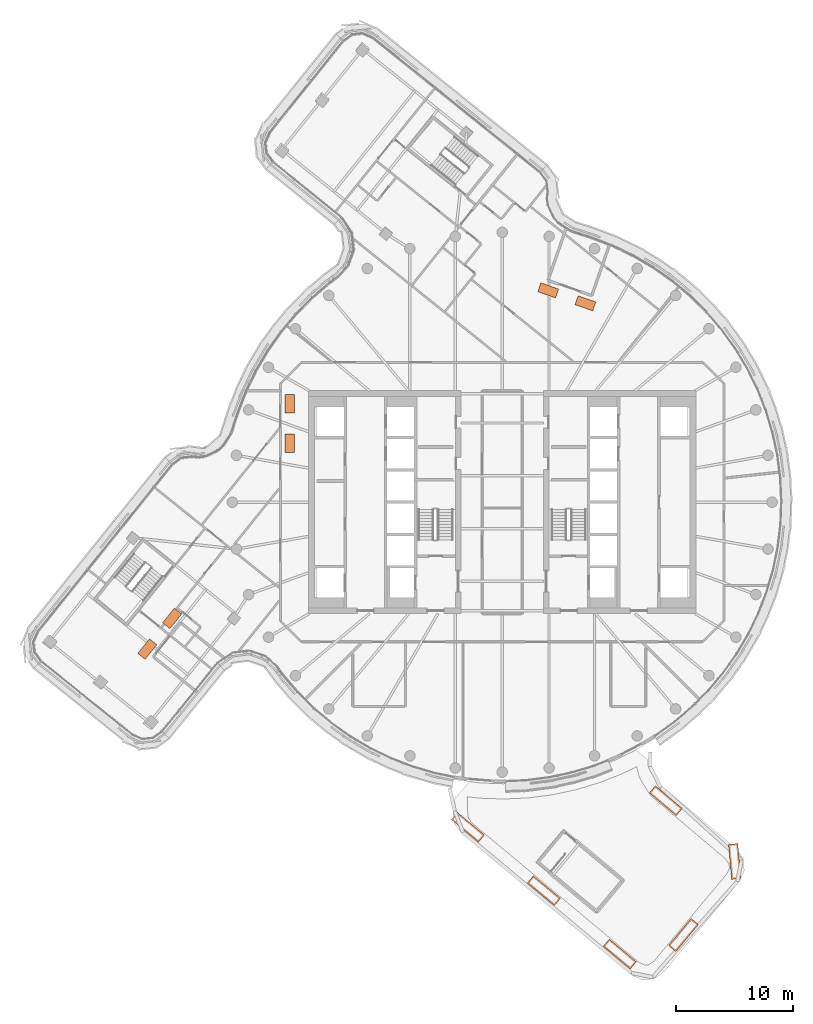
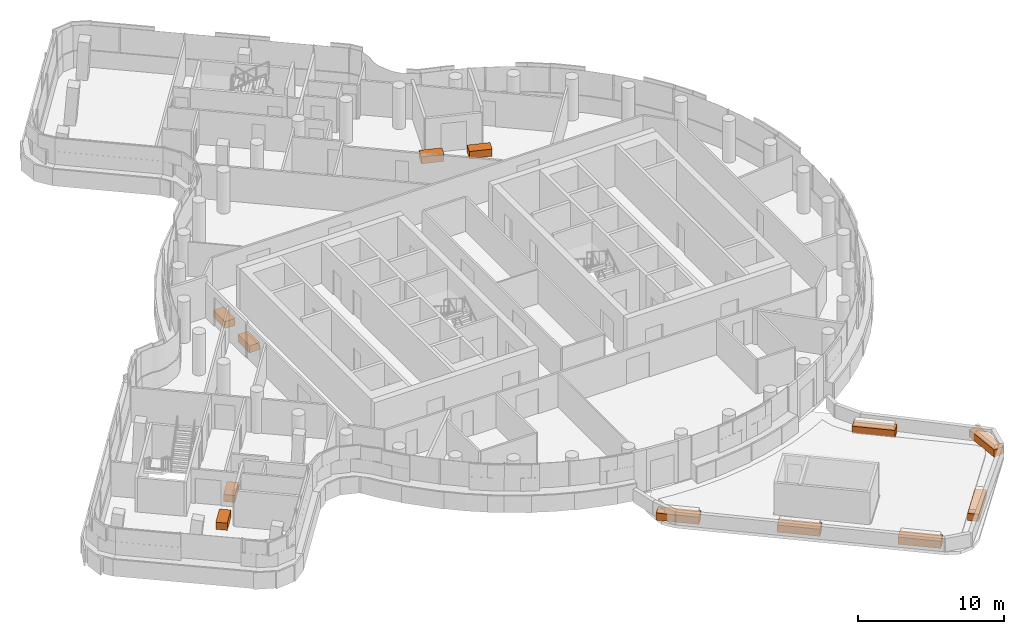
# One storey, part 25 of 25: 12 proxies.
"""IFC4 building model written with IfcOpenShell, lengths in metres."""

from ifc_helpers import new_model, si_unit, direction, frame, origin, origin_2d, place, context, subcontext, project, spatial, rectangle, extrude, material, type_object, element, save


model = new_model("IFC4")

# Units and contexts
model_context = context("Model", 3, precision=1e-05, world=origin(), true_north=direction((0.0, 1.0)))
body_context = subcontext(model_context, "Body", "Model", "MODEL_VIEW")
ifc_project = project(units=[si_unit("LENGTHUNIT", "METRE"), si_unit("AREAUNIT", "SQUARE_METRE"), si_unit("VOLUMEUNIT", "CUBIC_METRE"), si_unit("PLANEANGLEUNIT", "RADIAN"), si_unit("MASSUNIT", "GRAM", prefix="KILO")], contexts=[model_context])

# Site, building, storey
site_placement = place(None, origin())
site = spatial("IfcSite", under=ifc_project, at=site_placement, CompositionType="ELEMENT")
building_placement = place(site_placement, origin())
building = spatial("IfcBuilding", under=site, at=building_placement, Name="Tamarind Cross Interchange Tower", CompositionType="ELEMENT")
storey_placement = place(building_placement, frame((0.0, 0.0, 219.89990234375)))
storey = spatial("IfcBuildingStorey", under=building, at=storey_placement, Name="L55", CompositionType="ELEMENT", Elevation=219.89990234375)

# Proxies
ifc_material = material(Name="Concrete C30", Category="concrete")
building_element_proxy_type = type_object("IfcBuildingElementProxyType", Name="Planter", PredefinedType="USERDEFINED", material=ifc_material)
proxy_1_placement = place(storey_placement, origin())
element("IfcBuildingElementProxy", 1, at=proxy_1_placement, inside=storey, type_object=building_element_proxy_type, Name="PLT-L55-WG-L55-NW-0", ObjectType="Planter", PredefinedType="USERDEFINED", context=body_context, shape_type="SweptSolid", body=[
    extrude(rectangle(XDim=1.60009765625, YDim=0.800048828125, at=origin_2d()), frame((-18.10009765625, 8.390380859375, 0.0), z_axis=(0.0, 0.0, 1.0), x_axis=(0.0, -1.0, 0.0)), (0.0, 0.0, 1.0), 0.60009765625),
])
proxy_2_placement = place(storey_placement, origin())
element("IfcBuildingElementProxy", 2, at=proxy_2_placement, inside=storey, type_object=building_element_proxy_type, Name="PLT-L55-WG-L55-NW-1", ObjectType="Planter", PredefinedType="USERDEFINED", context=body_context, shape_type="SweptSolid", body=[
    extrude(rectangle(XDim=1.60009765625, YDim=0.800048828125, at=origin_2d()), frame((-18.10009765625, 5.030517578125, 0.0), z_axis=(0.0, 0.0, 1.0), x_axis=(0.0, -1.0, 0.0)), (0.0, 0.0, 1.0), 0.60009765625),
])
proxy_3_placement = place(storey_placement, origin())
element("IfcBuildingElementProxy", 3, at=proxy_3_placement, inside=storey, type_object=building_element_proxy_type, Name="PLT-L55-WG-L55-WNa-0", ObjectType="Planter", PredefinedType="USERDEFINED", context=body_context, shape_type="SweptSolid", body=[
    extrude(rectangle(XDim=1.60009765625, YDim=0.800048828125, at=origin_2d()), frame((-30.245361328125, -12.513427734375, 0.0), z_axis=(0.0, 0.0, 1.0), x_axis=(0.629401770134, 0.777080054919, 0.0)), (0.0, 0.0, 1.0), 0.60009765625),
])
proxy_4_placement = place(storey_placement, origin())
element("IfcBuildingElementProxy", 4, at=proxy_4_placement, inside=storey, type_object=building_element_proxy_type, Name="PLT-L55-WG-L55-WNa-1", ObjectType="Planter", PredefinedType="USERDEFINED", context=body_context, shape_type="SweptSolid", body=[
    extrude(rectangle(XDim=1.60009765625, YDim=0.800048828125, at=origin_2d()), frame((-28.13037109375, -9.902587890625, 0.0), z_axis=(0.0, 0.0, 1.0), x_axis=(0.629401770134, 0.777080054919, 0.0)), (0.0, 0.0, 1.0), 0.60009765625),
])
proxy_5_placement = place(storey_placement, origin())
element("IfcBuildingElementProxy", 5, at=proxy_5_placement, inside=storey, type_object=building_element_proxy_type, Name="PLT-L55-WG-L55-WNb-0", ObjectType="Planter", PredefinedType="USERDEFINED", context=body_context, shape_type="SweptSolid", body=[
    extrude(rectangle(XDim=1.60009765625, YDim=0.800048828125, at=origin_2d()), frame((7.09228515625, 16.94970703125, 0.0), z_axis=(0.0, 0.0, 1.0), x_axis=(-0.944473905366, 0.328586430157, 0.0)), (0.0, 0.0, 1.0), 0.60009765625),
])
proxy_6_placement = place(storey_placement, origin())
element("IfcBuildingElementProxy", 6, at=proxy_6_placement, inside=storey, type_object=building_element_proxy_type, Name="PLT-L55-WG-L55-WNb-1", ObjectType="Planter", PredefinedType="USERDEFINED", context=body_context, shape_type="SweptSolid", body=[
    extrude(rectangle(XDim=1.60009765625, YDim=0.800048828125, at=origin_2d()), frame((3.9189453125, 18.0537109375, 0.0), z_axis=(0.0, 0.0, 1.0), x_axis=(-0.944473905366, 0.328586430157, 0.0)), (0.0, 0.0, 1.0), 0.60009765625),
])
proxy_7_placement = place(storey_placement, origin())
element("IfcBuildingElementProxy", 7, at=proxy_7_placement, inside=storey, type_object=building_element_proxy_type, Name="PLT-L55-RTS0-00", ObjectType="Planter", PredefinedType="USERDEFINED", context=body_context, shape_type="SweptSolid", body=[
    extrude(rectangle(XDim=3.0, YDim=0.800048828125, at=origin_2d()), frame((-2.919921875, -27.703857421875, 0.0), z_axis=(0.0, 0.0, 1.0), x_axis=(0.767729103501, -0.640774549773, 0.0)), (0.0, 0.0, 1.0), 0.60009765625),
])
proxy_8_placement = place(storey_placement, origin())
element("IfcBuildingElementProxy", 8, at=proxy_8_placement, inside=storey, type_object=building_element_proxy_type, Name="PLT-L55-RTS0-01", ObjectType="Planter", PredefinedType="USERDEFINED", context=body_context, shape_type="SweptSolid", body=[
    extrude(rectangle(XDim=3.0, YDim=0.800048828125, at=origin_2d()), frame((3.551513671875, -33.10498046875, 0.0), z_axis=(0.0, 0.0, 1.0), x_axis=(0.767729103501, -0.640774549773, 0.0)), (0.0, 0.0, 1.0), 0.60009765625),
])
proxy_9_placement = place(storey_placement, origin())
element("IfcBuildingElementProxy", 9, at=proxy_9_placement, inside=storey, type_object=building_element_proxy_type, Name="PLT-L55-RTS0-02", ObjectType="Planter", PredefinedType="USERDEFINED", context=body_context, shape_type="SweptSolid", body=[
    extrude(rectangle(XDim=3.0, YDim=0.800048828125, at=origin_2d()), frame((10.022705078125, -38.50634765625, 0.0), z_axis=(0.0, 0.0, 1.0), x_axis=(0.767729103501, -0.640774549773, 0.0)), (0.0, 0.0, 1.0), 0.60009765625),
])
proxy_10_placement = place(storey_placement, origin())
element("IfcBuildingElementProxy", 10, at=proxy_10_placement, inside=storey, type_object=building_element_proxy_type, Name="PLT-L55-RTS0-03", ObjectType="Planter", PredefinedType="USERDEFINED", context=body_context, shape_type="SweptSolid", body=[
    extrude(rectangle(XDim=3.0, YDim=0.800048828125, at=origin_2d()), frame((15.443115234375, -36.886474609375, 0.0), z_axis=(0.0, 0.0, 1.0), x_axis=(0.640774549773, 0.767729103501, 0.0)), (0.0, 0.0, 1.0), 0.60009765625),
])
proxy_11_placement = place(storey_placement, origin())
element("IfcBuildingElementProxy", 11, at=proxy_11_placement, inside=storey, type_object=building_element_proxy_type, Name="PLT-L55-RTS0-04", ObjectType="Planter", PredefinedType="USERDEFINED", context=body_context, shape_type="SweptSolid", body=[
    extrude(rectangle(XDim=3.0, YDim=0.800048828125, at=origin_2d()), frame((19.8154296875, -30.61376953125, 0.0), z_axis=(0.0, 0.0, 1.0), x_axis=(-0.089770425844, 0.995962484556, 0.0)), (0.0, 0.0, 1.0), 0.60009765625),
])
proxy_12_placement = place(storey_placement, origin())
element("IfcBuildingElementProxy", 12, at=proxy_12_placement, inside=storey, type_object=building_element_proxy_type, Name="PLT-L55-RTS0-05", ObjectType="Planter", PredefinedType="USERDEFINED", context=body_context, shape_type="SweptSolid", body=[
    extrude(rectangle(XDim=3.0, YDim=0.800048828125, at=origin_2d()), frame((13.937744140625, -25.440185546875, 0.0), z_axis=(0.0, 0.0, 1.0), x_axis=(-0.764191475133, 0.64498944901, 0.0)), (0.0, 0.0, 1.0), 0.60009765625),
])

save(model, "model.ifc")
